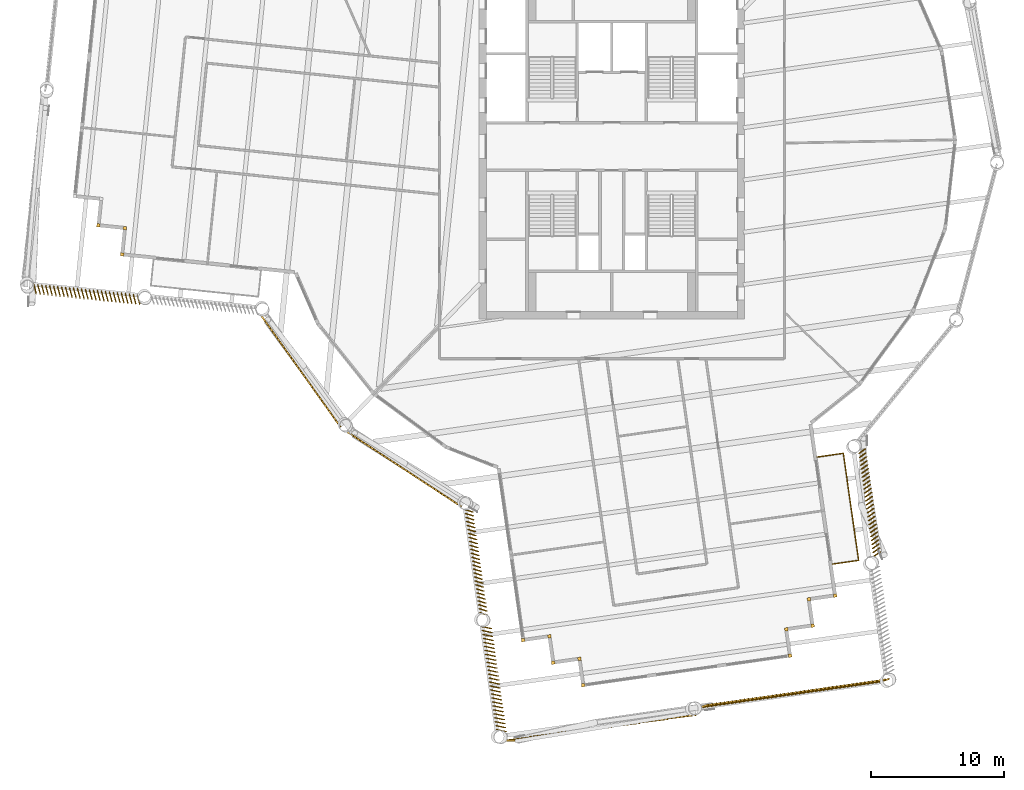
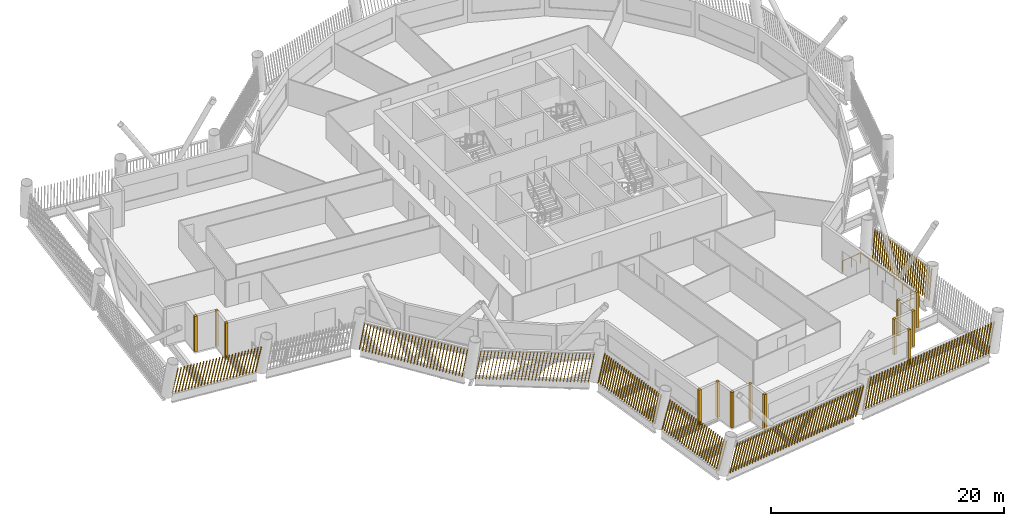
# One storey, part 18 of 22: 21 shading devices, 1 railing.
"""IFC4 building model written with IfcOpenShell, lengths in metres."""

from ifc_helpers import new_model, si_unit, direction, frame, frame_2d, origin, origin_2d, place, context, subcontext, project, spatial, rectangle, circle, composite_profile, extrude, material, type_object, element, save


model = new_model("IFC4")

# Units and contexts
model_context = context("Model", 3, precision=1e-05, world=origin(), true_north=direction((0.0, 1.0)))
body_context = subcontext(model_context, "Body", "Model", "MODEL_VIEW")
ifc_project = project(units=[si_unit("LENGTHUNIT", "METRE"), si_unit("AREAUNIT", "SQUARE_METRE"), si_unit("VOLUMEUNIT", "CUBIC_METRE"), si_unit("PLANEANGLEUNIT", "RADIAN"), si_unit("MASSUNIT", "GRAM", prefix="KILO")], contexts=[model_context])

# Site, building, storey
site_placement = place(None, origin())
site = spatial("IfcSite", under=ifc_project, at=site_placement, CompositionType="ELEMENT")
building_placement = place(site_placement, origin())
building = spatial("IfcBuilding", under=site, at=building_placement, Name="Tarsis Ring Headquarters", CompositionType="ELEMENT")
storey_placement = place(building_placement, frame((0.0, 0.0, 263.0)))
storey = spatial("IfcBuildingStorey", under=building, at=storey_placement, Name="L61", CompositionType="ELEMENT", Elevation=263.0)

# Railing
ifc_material_1 = material(Name="Stainless steel guard", Category="steel")
railing_type = type_object("IfcRailingType", Name="Balcony balustrade with mesh infill 1100", PredefinedType="BALUSTRADE", material=ifc_material_1)
railing_placement = place(storey_placement, frame((16.611572265625, -31.46923828125, 0.0)))
element("IfcRailing", 1, at=railing_placement, inside=storey, type_object=railing_type, Name="Balcony balustrade L61-16", PredefinedType="BALUSTRADE", context=body_context, shape_type="SweptSolid", body=[
    extrude(circle(Radius=0.030029296875, at=origin_2d()), frame((0.0, 0.0, 1.070068359375), z_axis=(0.989973895577, 0.141250437438, 0.0), x_axis=(-0.141250437438, 0.989973895577, 0.0)), (0.0, 0.0, 1.0), 1.999755859375),
    extrude(circle(Radius=0.030029296875, at=origin_2d()), frame((1.979736328125, 0.282470703125, 1.070068359375), z_axis=(-0.141220081004, 0.989978226387, 0.0), x_axis=(-0.989978226387, -0.141220081004, 0.0)), (0.0, 0.0, 1.0), 8.1513671875),
    extrude(circle(Radius=0.030029296875, at=origin_2d()), frame((0.82861328125, 8.35205078125, 1.070068359375), z_axis=(-0.989976330904, -0.141233368046, 0.0), x_axis=(0.141233368046, -0.989976330904, 0.0)), (0.0, 0.0, 1.0), 2.0),
    extrude(circle(Radius=0.02490234375, at=origin_2d()), origin(), (0.0, 0.0, 1.0), 1.0400390625),
    extrude(circle(Radius=0.02490234375, at=origin_2d()), frame((0.98974609375, 0.14111328125, 0.0)), (0.0, 0.0, 1.0), 1.0400390625),
    extrude(circle(Radius=0.02490234375, at=origin_2d()), frame((1.979736328125, 0.282470703125, 0.0)), (0.0, 0.0, 1.0), 1.0400390625),
    extrude(circle(Radius=0.02490234375, at=origin_2d()), frame((1.815185546875, 1.435302734375, 0.0)), (0.0, 0.0, 1.0), 1.0400390625),
    extrude(circle(Radius=0.02490234375, at=origin_2d()), frame((1.65087890625, 2.588134765625, 0.0)), (0.0, 0.0, 1.0), 1.0400390625),
    extrude(circle(Radius=0.02490234375, at=origin_2d()), frame((1.486328125, 3.740966796875, 0.0)), (0.0, 0.0, 1.0), 1.0400390625),
    extrude(circle(Radius=0.02490234375, at=origin_2d()), frame((1.322021484375, 4.8935546875, 0.0)), (0.0, 0.0, 1.0), 1.0400390625),
    extrude(circle(Radius=0.02490234375, at=origin_2d()), frame((1.157470703125, 6.04638671875, 0.0)), (0.0, 0.0, 1.0), 1.0400390625),
    extrude(circle(Radius=0.02490234375, at=origin_2d()), frame((0.9931640625, 7.19921875, 0.0)), (0.0, 0.0, 1.0), 1.0400390625),
    extrude(circle(Radius=0.02490234375, at=origin_2d()), frame((0.82861328125, 8.35205078125, 0.0)), (0.0, 0.0, 1.0), 1.0400390625),
    extrude(circle(Radius=0.02490234375, at=origin_2d()), frame((-0.161376953125, 8.2109375, 0.0)), (0.0, 0.0, 1.0), 1.0400390625),
    extrude(circle(Radius=0.02490234375, at=origin_2d()), frame((-1.1513671875, 8.069580078125, 0.0)), (0.0, 0.0, 1.0), 1.0400390625),
])

# Shading devices
ifc_material_2 = material(Name="Terracotta baguette", Category="masonry")
shading_device_type_1 = type_object("IfcShadingDeviceType", Name="Terracotta baguette screen", PredefinedType="USERDEFINED", material=ifc_material_2)
shading_device_1_placement = place(storey_placement, frame((-19.921875, -21.525634765625, 0.0), z_axis=(0.0, 0.0, 1.0), x_axis=(0.836801998751, -0.547482823235, 0.0)))
element("IfcShadingDevice", 2, at=shading_device_1_placement, inside=storey, type_object=shading_device_type_1, Name="Baguette screen L61-00", ObjectType="Terracotta baguette screen", PredefinedType="USERDEFINED", context=body_context, shape_type="SweptSolid", body=[
    extrude(composite_profile([rectangle(XDim=0.06005859375, YDim=0.1201171875, at=frame_2d((0.030029296875, 0.0))), rectangle(XDim=0.06005859375, YDim=0.1201171875, at=frame_2d((0.33349609375, 0.0))), rectangle(XDim=0.06005859375, YDim=0.1201171875, at=frame_2d((0.636962890625, 0.0))), rectangle(XDim=0.06005859375, YDim=0.1201171875, at=frame_2d((0.9404296875, 0.0))), rectangle(XDim=0.06005859375, YDim=0.1201171875, at=frame_2d((1.243896484375, 0.0))), rectangle(XDim=0.06005859375, YDim=0.1201171875, at=frame_2d((1.54736328125, 0.0))), rectangle(XDim=0.06005859375, YDim=0.1201171875, at=frame_2d((1.85107421875, 0.0))), rectangle(XDim=0.06005859375, YDim=0.1201171875, at=frame_2d((2.154541015625, 0.0))), rectangle(XDim=0.06005859375, YDim=0.1201171875, at=frame_2d((2.4580078125, 0.0))), rectangle(XDim=0.06005859375, YDim=0.1201171875, at=frame_2d((2.761474609375, 0.0))), rectangle(XDim=0.06005859375, YDim=0.1201171875, at=frame_2d((3.06494140625, 0.0))), rectangle(XDim=0.06005859375, YDim=0.1201171875, at=frame_2d((3.368408203125, 0.0))), rectangle(XDim=0.06005859375, YDim=0.1201171875, at=frame_2d((3.671875, 0.0))), rectangle(XDim=0.06005859375, YDim=0.1201171875, at=frame_2d((3.975341796875, 0.0))), rectangle(XDim=0.06005859375, YDim=0.1201171875, at=frame_2d((4.27880859375, 0.0))), rectangle(XDim=0.06005859375, YDim=0.1201171875, at=frame_2d((4.582275390625, 0.0))), rectangle(XDim=0.06005859375, YDim=0.1201171875, at=frame_2d((4.8857421875, 0.0))), rectangle(XDim=0.06005859375, YDim=0.1201171875, at=frame_2d((5.189453125, 0.0))), rectangle(XDim=0.06005859375, YDim=0.1201171875, at=frame_2d((5.492919921875, 0.0))), rectangle(XDim=0.06005859375, YDim=0.1201171875, at=frame_2d((5.79638671875, 0.0))), rectangle(XDim=0.06005859375, YDim=0.1201171875, at=frame_2d((6.099853515625, 0.0))), rectangle(XDim=0.06005859375, YDim=0.1201171875, at=frame_2d((6.4033203125, 0.0))), rectangle(XDim=0.06005859375, YDim=0.1201171875, at=frame_2d((6.706787109375, 0.0))), rectangle(XDim=0.06005859375, YDim=0.1201171875, at=frame_2d((7.01025390625, 0.0))), rectangle(XDim=0.06005859375, YDim=0.1201171875, at=frame_2d((7.313720703125, 0.0))), rectangle(XDim=0.06005859375, YDim=0.1201171875, at=frame_2d((7.6171875, 0.0))), rectangle(XDim=0.06005859375, YDim=0.1201171875, at=frame_2d((7.920654296875, 0.0))), rectangle(XDim=0.06005859375, YDim=0.1201171875, at=frame_2d((8.224365234375, 0.0))), rectangle(XDim=0.06005859375, YDim=0.1201171875, at=frame_2d((8.52783203125, 0.0))), rectangle(XDim=0.06005859375, YDim=0.1201171875, at=frame_2d((8.831298828125, 0.0))), rectangle(XDim=0.06005859375, YDim=0.1201171875, at=frame_2d((9.134765625, 0.0))), rectangle(XDim=0.06005859375, YDim=0.1201171875, at=frame_2d((9.438232421875, 0.0))), rectangle(XDim=0.06005859375, YDim=0.1201171875, at=frame_2d((9.74169921875, 0.0)))]), origin(), (0.167657668035, 0.001462980796, 0.985844189533), 3.010498046875),
])
shading_device_2_placement = place(storey_placement, frame((-11.050537109375, -27.330322265625, 0.0), z_axis=(0.0, 0.0, 1.0), x_axis=(0.141250617894, -0.989959218982, 0.0)))
element("IfcShadingDevice", 3, at=shading_device_2_placement, inside=storey, type_object=shading_device_type_1, Name="Baguette screen L61-01", ObjectType="Terracotta baguette screen", PredefinedType="USERDEFINED", context=body_context, shape_type="SweptSolid", body=[
    extrude(composite_profile([rectangle(XDim=0.06005859375, YDim=0.1201171875, at=frame_2d((0.030029296875, 0.0))), rectangle(XDim=0.06005859375, YDim=0.1201171875, at=frame_2d((0.33154296875, 0.0))), rectangle(XDim=0.06005859375, YDim=0.1201171875, at=frame_2d((0.63330078125, 0.0))), rectangle(XDim=0.06005859375, YDim=0.1201171875, at=frame_2d((0.934814453125, 0.0))), rectangle(XDim=0.06005859375, YDim=0.1201171875, at=frame_2d((1.236572265625, 0.0))), rectangle(XDim=0.06005859375, YDim=0.1201171875, at=frame_2d((1.5380859375, 0.0))), rectangle(XDim=0.06005859375, YDim=0.1201171875, at=frame_2d((1.83984375, 0.0))), rectangle(XDim=0.06005859375, YDim=0.1201171875, at=frame_2d((2.141357421875, 0.0))), rectangle(XDim=0.06005859375, YDim=0.1201171875, at=frame_2d((2.443115234375, 0.0))), rectangle(XDim=0.06005859375, YDim=0.1201171875, at=frame_2d((2.74462890625, 0.0))), rectangle(XDim=0.06005859375, YDim=0.1201171875, at=frame_2d((3.04638671875, 0.0))), rectangle(XDim=0.06005859375, YDim=0.1201171875, at=frame_2d((3.347900390625, 0.0))), rectangle(XDim=0.06005859375, YDim=0.1201171875, at=frame_2d((3.649658203125, 0.0))), rectangle(XDim=0.06005859375, YDim=0.1201171875, at=frame_2d((3.951171875, 0.0))), rectangle(XDim=0.06005859375, YDim=0.1201171875, at=frame_2d((4.252685546875, 0.0))), rectangle(XDim=0.06005859375, YDim=0.1201171875, at=frame_2d((4.554443359375, 0.0))), rectangle(XDim=0.06005859375, YDim=0.1201171875, at=frame_2d((4.85595703125, 0.0))), rectangle(XDim=0.06005859375, YDim=0.1201171875, at=frame_2d((5.15771484375, 0.0))), rectangle(XDim=0.06005859375, YDim=0.1201171875, at=frame_2d((5.459228515625, 0.0))), rectangle(XDim=0.06005859375, YDim=0.1201171875, at=frame_2d((5.760986328125, 0.0))), rectangle(XDim=0.06005859375, YDim=0.1201171875, at=frame_2d((6.0625, 0.0))), rectangle(XDim=0.06005859375, YDim=0.1201171875, at=frame_2d((6.3642578125, 0.0))), rectangle(XDim=0.06005859375, YDim=0.1201171875, at=frame_2d((6.665771484375, 0.0))), rectangle(XDim=0.06005859375, YDim=0.1201171875, at=frame_2d((6.967529296875, 0.0))), rectangle(XDim=0.06005859375, YDim=0.1201171875, at=frame_2d((7.26904296875, 0.0))), rectangle(XDim=0.06005859375, YDim=0.1201171875, at=frame_2d((7.57080078125, 0.0))), rectangle(XDim=0.06005859375, YDim=0.1201171875, at=frame_2d((7.872314453125, 0.0)))]), origin(), (0.083960114804, 0.170744626434, 0.98173161896), 3.02294921875),
])
shading_device_3_placement = place(storey_placement, frame((-9.79296875, -36.143310546875, 0.0), z_axis=(0.0, 0.0, 1.0), x_axis=(0.141224086261, -0.98998980443, 0.0)))
element("IfcShadingDevice", 4, at=shading_device_3_placement, inside=storey, type_object=shading_device_type_1, Name="Baguette screen L61-02", ObjectType="Terracotta baguette screen", PredefinedType="USERDEFINED", context=body_context, shape_type="SweptSolid", body=[
    extrude(composite_profile([rectangle(XDim=0.06005859375, YDim=0.1201171875, at=frame_2d((0.030029296875, 0.0))), rectangle(XDim=0.06005859375, YDim=0.1201171875, at=frame_2d((0.33154296875, 0.0))), rectangle(XDim=0.06005859375, YDim=0.1201171875, at=frame_2d((0.63330078125, 0.0))), rectangle(XDim=0.06005859375, YDim=0.1201171875, at=frame_2d((0.934814453125, 0.0))), rectangle(XDim=0.06005859375, YDim=0.1201171875, at=frame_2d((1.236572265625, 0.0))), rectangle(XDim=0.06005859375, YDim=0.1201171875, at=frame_2d((1.5380859375, 0.0))), rectangle(XDim=0.06005859375, YDim=0.1201171875, at=frame_2d((1.83984375, 0.0))), rectangle(XDim=0.06005859375, YDim=0.1201171875, at=frame_2d((2.141357421875, 0.0))), rectangle(XDim=0.06005859375, YDim=0.1201171875, at=frame_2d((2.443115234375, 0.0))), rectangle(XDim=0.06005859375, YDim=0.1201171875, at=frame_2d((2.74462890625, 0.0))), rectangle(XDim=0.06005859375, YDim=0.1201171875, at=frame_2d((3.04638671875, 0.0))), rectangle(XDim=0.06005859375, YDim=0.1201171875, at=frame_2d((3.347900390625, 0.0))), rectangle(XDim=0.06005859375, YDim=0.1201171875, at=frame_2d((3.649658203125, 0.0))), rectangle(XDim=0.06005859375, YDim=0.1201171875, at=frame_2d((3.951171875, 0.0))), rectangle(XDim=0.06005859375, YDim=0.1201171875, at=frame_2d((4.252685546875, 0.0))), rectangle(XDim=0.06005859375, YDim=0.1201171875, at=frame_2d((4.554443359375, 0.0))), rectangle(XDim=0.06005859375, YDim=0.1201171875, at=frame_2d((4.85595703125, 0.0))), rectangle(XDim=0.06005859375, YDim=0.1201171875, at=frame_2d((5.15771484375, 0.0))), rectangle(XDim=0.06005859375, YDim=0.1201171875, at=frame_2d((5.459228515625, 0.0))), rectangle(XDim=0.06005859375, YDim=0.1201171875, at=frame_2d((5.760986328125, 0.0))), rectangle(XDim=0.06005859375, YDim=0.1201171875, at=frame_2d((6.0625, 0.0))), rectangle(XDim=0.06005859375, YDim=0.1201171875, at=frame_2d((6.3642578125, 0.0))), rectangle(XDim=0.06005859375, YDim=0.1201171875, at=frame_2d((6.665771484375, 0.0))), rectangle(XDim=0.06005859375, YDim=0.1201171875, at=frame_2d((6.967529296875, 0.0))), rectangle(XDim=0.06005859375, YDim=0.1201171875, at=frame_2d((7.26904296875, 0.0))), rectangle(XDim=0.06005859375, YDim=0.1201171875, at=frame_2d((7.57080078125, 0.0))), rectangle(XDim=0.06005859375, YDim=0.1201171875, at=frame_2d((7.872314453125, 0.0)))]), origin(), (0.082679440305, 0.219945168077, 0.972002177565), 3.05322265625),
])
shading_device_4_placement = place(storey_placement, frame((-8.058349609375, -44.761962890625, 0.0), z_axis=(0.0, 0.0, 1.0), x_axis=(0.989969040248, 0.141247235736, 0.0)))
element("IfcShadingDevice", 5, at=shading_device_4_placement, inside=storey, type_object=shading_device_type_1, Name="Baguette screen L61-03", ObjectType="Terracotta baguette screen", PredefinedType="USERDEFINED", context=body_context, shape_type="SweptSolid", body=[
    extrude(composite_profile([rectangle(XDim=0.06005859375, YDim=0.1201171875, at=frame_2d((0.030029296875, 0.0))), rectangle(XDim=0.06005859375, YDim=0.1201171875, at=frame_2d((0.33544921875, 0.0))), rectangle(XDim=0.06005859375, YDim=0.1201171875, at=frame_2d((0.640625, 0.0))), rectangle(XDim=0.06005859375, YDim=0.1201171875, at=frame_2d((0.946044921875, 0.0))), rectangle(XDim=0.06005859375, YDim=0.1201171875, at=frame_2d((1.25146484375, 0.0))), rectangle(XDim=0.06005859375, YDim=0.1201171875, at=frame_2d((1.556640625, 0.0))), rectangle(XDim=0.06005859375, YDim=0.1201171875, at=frame_2d((1.862060546875, 0.0))), rectangle(XDim=0.06005859375, YDim=0.1201171875, at=frame_2d((2.16748046875, 0.0))), rectangle(XDim=0.06005859375, YDim=0.1201171875, at=frame_2d((2.47265625, 0.0))), rectangle(XDim=0.06005859375, YDim=0.1201171875, at=frame_2d((2.778076171875, 0.0))), rectangle(XDim=0.06005859375, YDim=0.1201171875, at=frame_2d((3.08349609375, 0.0))), rectangle(XDim=0.06005859375, YDim=0.1201171875, at=frame_2d((3.388671875, 0.0))), rectangle(XDim=0.06005859375, YDim=0.1201171875, at=frame_2d((3.694091796875, 0.0))), rectangle(XDim=0.06005859375, YDim=0.1201171875, at=frame_2d((3.99951171875, 0.0))), rectangle(XDim=0.06005859375, YDim=0.1201171875, at=frame_2d((4.3046875, 0.0))), rectangle(XDim=0.06005859375, YDim=0.1201171875, at=frame_2d((4.610107421875, 0.0))), rectangle(XDim=0.06005859375, YDim=0.1201171875, at=frame_2d((4.91552734375, 0.0))), rectangle(XDim=0.06005859375, YDim=0.1201171875, at=frame_2d((5.220703125, 0.0))), rectangle(XDim=0.06005859375, YDim=0.1201171875, at=frame_2d((5.526123046875, 0.0))), rectangle(XDim=0.06005859375, YDim=0.1201171875, at=frame_2d((5.83154296875, 0.0))), rectangle(XDim=0.06005859375, YDim=0.1201171875, at=frame_2d((6.13671875, 0.0))), rectangle(XDim=0.06005859375, YDim=0.1201171875, at=frame_2d((6.442138671875, 0.0))), rectangle(XDim=0.06005859375, YDim=0.1201171875, at=frame_2d((6.74755859375, 0.0))), rectangle(XDim=0.06005859375, YDim=0.1201171875, at=frame_2d((7.052734375, 0.0))), rectangle(XDim=0.06005859375, YDim=0.1201171875, at=frame_2d((7.358154296875, 0.0))), rectangle(XDim=0.06005859375, YDim=0.1201171875, at=frame_2d((7.66357421875, 0.0))), rectangle(XDim=0.06005859375, YDim=0.1201171875, at=frame_2d((7.96875, 0.0))), rectangle(XDim=0.06005859375, YDim=0.1201171875, at=frame_2d((8.274169921875, 0.0))), rectangle(XDim=0.06005859375, YDim=0.1201171875, at=frame_2d((8.57958984375, 0.0))), rectangle(XDim=0.06005859375, YDim=0.1201171875, at=frame_2d((8.884765625, 0.0))), rectangle(XDim=0.06005859375, YDim=0.1201171875, at=frame_2d((9.190185546875, 0.0))), rectangle(XDim=0.06005859375, YDim=0.1201171875, at=frame_2d((9.49560546875, 0.0))), rectangle(XDim=0.06005859375, YDim=0.1201171875, at=frame_2d((9.80078125, 0.0))), rectangle(XDim=0.06005859375, YDim=0.1201171875, at=frame_2d((10.106201171875, 0.0))), rectangle(XDim=0.06005859375, YDim=0.1201171875, at=frame_2d((10.41162109375, 0.0))), rectangle(XDim=0.06005859375, YDim=0.1201171875, at=frame_2d((10.716796875, 0.0))), rectangle(XDim=0.06005859375, YDim=0.1201171875, at=frame_2d((11.022216796875, 0.0))), rectangle(XDim=0.06005859375, YDim=0.1201171875, at=frame_2d((11.32763671875, 0.0))), rectangle(XDim=0.06005859375, YDim=0.1201171875, at=frame_2d((11.6328125, 0.0))), rectangle(XDim=0.06005859375, YDim=0.1201171875, at=frame_2d((11.938232421875, 0.0))), rectangle(XDim=0.06005859375, YDim=0.1201171875, at=frame_2d((12.24365234375, 0.0))), rectangle(XDim=0.06005859375, YDim=0.1201171875, at=frame_2d((12.548828125, 0.0))), rectangle(XDim=0.06005859375, YDim=0.1201171875, at=frame_2d((12.854248046875, 0.0))), rectangle(XDim=0.06005859375, YDim=0.1201171875, at=frame_2d((13.15966796875, 0.0))), rectangle(XDim=0.06005859375, YDim=0.1201171875, at=frame_2d((13.46484375, 0.0))), rectangle(XDim=0.06005859375, YDim=0.1201171875, at=frame_2d((13.770263671875, 0.0)))]), origin(), (0.246235962579, -0.039995191836, 0.968384342791), 3.064697265625),
])
shading_device_5_placement = place(storey_placement, frame((6.540283203125, -42.30029296875, 0.0), z_axis=(0.0, 0.0, 1.0), x_axis=(0.989969040248, 0.141247235736, 0.0)))
element("IfcShadingDevice", 6, at=shading_device_5_placement, inside=storey, type_object=shading_device_type_1, Name="Baguette screen L61-04", ObjectType="Terracotta baguette screen", PredefinedType="USERDEFINED", context=body_context, shape_type="SweptSolid", body=[
    extrude(composite_profile([rectangle(XDim=0.06005859375, YDim=0.1201171875, at=frame_2d((0.030029296875, 0.0))), rectangle(XDim=0.06005859375, YDim=0.1201171875, at=frame_2d((0.33544921875, 0.0))), rectangle(XDim=0.06005859375, YDim=0.1201171875, at=frame_2d((0.640625, 0.0))), rectangle(XDim=0.06005859375, YDim=0.1201171875, at=frame_2d((0.946044921875, 0.0))), rectangle(XDim=0.06005859375, YDim=0.1201171875, at=frame_2d((1.25146484375, 0.0))), rectangle(XDim=0.06005859375, YDim=0.1201171875, at=frame_2d((1.556640625, 0.0))), rectangle(XDim=0.06005859375, YDim=0.1201171875, at=frame_2d((1.862060546875, 0.0))), rectangle(XDim=0.06005859375, YDim=0.1201171875, at=frame_2d((2.16748046875, 0.0))), rectangle(XDim=0.06005859375, YDim=0.1201171875, at=frame_2d((2.47265625, 0.0))), rectangle(XDim=0.06005859375, YDim=0.1201171875, at=frame_2d((2.778076171875, 0.0))), rectangle(XDim=0.06005859375, YDim=0.1201171875, at=frame_2d((3.08349609375, 0.0))), rectangle(XDim=0.06005859375, YDim=0.1201171875, at=frame_2d((3.388671875, 0.0))), rectangle(XDim=0.06005859375, YDim=0.1201171875, at=frame_2d((3.694091796875, 0.0))), rectangle(XDim=0.06005859375, YDim=0.1201171875, at=frame_2d((3.99951171875, 0.0))), rectangle(XDim=0.06005859375, YDim=0.1201171875, at=frame_2d((4.3046875, 0.0))), rectangle(XDim=0.06005859375, YDim=0.1201171875, at=frame_2d((4.610107421875, 0.0))), rectangle(XDim=0.06005859375, YDim=0.1201171875, at=frame_2d((4.91552734375, 0.0))), rectangle(XDim=0.06005859375, YDim=0.1201171875, at=frame_2d((5.220703125, 0.0))), rectangle(XDim=0.06005859375, YDim=0.1201171875, at=frame_2d((5.526123046875, 0.0))), rectangle(XDim=0.06005859375, YDim=0.1201171875, at=frame_2d((5.83154296875, 0.0))), rectangle(XDim=0.06005859375, YDim=0.1201171875, at=frame_2d((6.13671875, 0.0))), rectangle(XDim=0.06005859375, YDim=0.1201171875, at=frame_2d((6.442138671875, 0.0))), rectangle(XDim=0.06005859375, YDim=0.1201171875, at=frame_2d((6.74755859375, 0.0))), rectangle(XDim=0.06005859375, YDim=0.1201171875, at=frame_2d((7.052734375, 0.0))), rectangle(XDim=0.06005859375, YDim=0.1201171875, at=frame_2d((7.358154296875, 0.0))), rectangle(XDim=0.06005859375, YDim=0.1201171875, at=frame_2d((7.66357421875, 0.0))), rectangle(XDim=0.06005859375, YDim=0.1201171875, at=frame_2d((7.96875, 0.0))), rectangle(XDim=0.06005859375, YDim=0.1201171875, at=frame_2d((8.274169921875, 0.0))), rectangle(XDim=0.06005859375, YDim=0.1201171875, at=frame_2d((8.57958984375, 0.0))), rectangle(XDim=0.06005859375, YDim=0.1201171875, at=frame_2d((8.884765625, 0.0))), rectangle(XDim=0.06005859375, YDim=0.1201171875, at=frame_2d((9.190185546875, 0.0))), rectangle(XDim=0.06005859375, YDim=0.1201171875, at=frame_2d((9.49560546875, 0.0))), rectangle(XDim=0.06005859375, YDim=0.1201171875, at=frame_2d((9.80078125, 0.0))), rectangle(XDim=0.06005859375, YDim=0.1201171875, at=frame_2d((10.106201171875, 0.0))), rectangle(XDim=0.06005859375, YDim=0.1201171875, at=frame_2d((10.41162109375, 0.0))), rectangle(XDim=0.06005859375, YDim=0.1201171875, at=frame_2d((10.716796875, 0.0))), rectangle(XDim=0.06005859375, YDim=0.1201171875, at=frame_2d((11.022216796875, 0.0))), rectangle(XDim=0.06005859375, YDim=0.1201171875, at=frame_2d((11.32763671875, 0.0))), rectangle(XDim=0.06005859375, YDim=0.1201171875, at=frame_2d((11.6328125, 0.0))), rectangle(XDim=0.06005859375, YDim=0.1201171875, at=frame_2d((11.938232421875, 0.0))), rectangle(XDim=0.06005859375, YDim=0.1201171875, at=frame_2d((12.24365234375, 0.0))), rectangle(XDim=0.06005859375, YDim=0.1201171875, at=frame_2d((12.548828125, 0.0))), rectangle(XDim=0.06005859375, YDim=0.1201171875, at=frame_2d((12.854248046875, 0.0))), rectangle(XDim=0.06005859375, YDim=0.1201171875, at=frame_2d((13.15966796875, 0.0))), rectangle(XDim=0.06005859375, YDim=0.1201171875, at=frame_2d((13.46484375, 0.0))), rectangle(XDim=0.06005859375, YDim=0.1201171875, at=frame_2d((13.770263671875, 0.0)))]), origin(), (0.243492318252, 0.044290516461, 0.968891036755), 3.06298828125),
])
shading_device_6_placement = place(storey_placement, frame((19.740234375, -30.91943359375, 0.0), z_axis=(0.0, 0.0, 1.0), x_axis=(-0.141250617894, 0.989959218982, 0.0)))
element("IfcShadingDevice", 7, at=shading_device_6_placement, inside=storey, type_object=shading_device_type_1, Name="Baguette screen L61-06", ObjectType="Terracotta baguette screen", PredefinedType="USERDEFINED", context=body_context, shape_type="SweptSolid", body=[
    extrude(composite_profile([rectangle(XDim=0.06005859375, YDim=0.1201171875, at=frame_2d((0.030029296875, 0.0))), rectangle(XDim=0.06005859375, YDim=0.1201171875, at=frame_2d((0.33154296875, 0.0))), rectangle(XDim=0.06005859375, YDim=0.1201171875, at=frame_2d((0.63330078125, 0.0))), rectangle(XDim=0.06005859375, YDim=0.1201171875, at=frame_2d((0.934814453125, 0.0))), rectangle(XDim=0.06005859375, YDim=0.1201171875, at=frame_2d((1.236572265625, 0.0))), rectangle(XDim=0.06005859375, YDim=0.1201171875, at=frame_2d((1.5380859375, 0.0))), rectangle(XDim=0.06005859375, YDim=0.1201171875, at=frame_2d((1.83984375, 0.0))), rectangle(XDim=0.06005859375, YDim=0.1201171875, at=frame_2d((2.141357421875, 0.0))), rectangle(XDim=0.06005859375, YDim=0.1201171875, at=frame_2d((2.443115234375, 0.0))), rectangle(XDim=0.06005859375, YDim=0.1201171875, at=frame_2d((2.74462890625, 0.0))), rectangle(XDim=0.06005859375, YDim=0.1201171875, at=frame_2d((3.04638671875, 0.0))), rectangle(XDim=0.06005859375, YDim=0.1201171875, at=frame_2d((3.347900390625, 0.0))), rectangle(XDim=0.06005859375, YDim=0.1201171875, at=frame_2d((3.649658203125, 0.0))), rectangle(XDim=0.06005859375, YDim=0.1201171875, at=frame_2d((3.951171875, 0.0))), rectangle(XDim=0.06005859375, YDim=0.1201171875, at=frame_2d((4.252685546875, 0.0))), rectangle(XDim=0.06005859375, YDim=0.1201171875, at=frame_2d((4.554443359375, 0.0))), rectangle(XDim=0.06005859375, YDim=0.1201171875, at=frame_2d((4.85595703125, 0.0))), rectangle(XDim=0.06005859375, YDim=0.1201171875, at=frame_2d((5.15771484375, 0.0))), rectangle(XDim=0.06005859375, YDim=0.1201171875, at=frame_2d((5.459228515625, 0.0))), rectangle(XDim=0.06005859375, YDim=0.1201171875, at=frame_2d((5.760986328125, 0.0))), rectangle(XDim=0.06005859375, YDim=0.1201171875, at=frame_2d((6.0625, 0.0))), rectangle(XDim=0.06005859375, YDim=0.1201171875, at=frame_2d((6.3642578125, 0.0))), rectangle(XDim=0.06005859375, YDim=0.1201171875, at=frame_2d((6.665771484375, 0.0))), rectangle(XDim=0.06005859375, YDim=0.1201171875, at=frame_2d((6.967529296875, 0.0))), rectangle(XDim=0.06005859375, YDim=0.1201171875, at=frame_2d((7.26904296875, 0.0))), rectangle(XDim=0.06005859375, YDim=0.1201171875, at=frame_2d((7.57080078125, 0.0))), rectangle(XDim=0.06005859375, YDim=0.1201171875, at=frame_2d((7.872314453125, 0.0)))]), origin(), (0.089072961206, -0.169203446818, 0.981547859845), 3.023681640625),
])
shading_device_7_placement = place(storey_placement, frame((-43.59375, -10.388671875, 0.0), z_axis=(0.0, 0.0, 1.0), x_axis=(0.99474789916, -0.102446861097, 0.0)))
element("IfcShadingDevice", 8, at=shading_device_7_placement, inside=storey, type_object=shading_device_type_1, Name="Baguette screen L61-19", ObjectType="Terracotta baguette screen", PredefinedType="USERDEFINED", context=body_context, shape_type="SweptSolid", body=[
    extrude(composite_profile([rectangle(XDim=0.06005859375, YDim=0.1201171875, at=frame_2d((0.030029296875, 0.0))), rectangle(XDim=0.06005859375, YDim=0.1201171875, at=frame_2d((0.33154296875, 0.0))), rectangle(XDim=0.06005859375, YDim=0.1201171875, at=frame_2d((0.63330078125, 0.0))), rectangle(XDim=0.06005859375, YDim=0.1201171875, at=frame_2d((0.934814453125, 0.0))), rectangle(XDim=0.06005859375, YDim=0.1201171875, at=frame_2d((1.236572265625, 0.0))), rectangle(XDim=0.06005859375, YDim=0.1201171875, at=frame_2d((1.5380859375, 0.0))), rectangle(XDim=0.06005859375, YDim=0.1201171875, at=frame_2d((1.83984375, 0.0))), rectangle(XDim=0.06005859375, YDim=0.1201171875, at=frame_2d((2.141357421875, 0.0))), rectangle(XDim=0.06005859375, YDim=0.1201171875, at=frame_2d((2.443115234375, 0.0))), rectangle(XDim=0.06005859375, YDim=0.1201171875, at=frame_2d((2.74462890625, 0.0))), rectangle(XDim=0.06005859375, YDim=0.1201171875, at=frame_2d((3.04638671875, 0.0))), rectangle(XDim=0.06005859375, YDim=0.1201171875, at=frame_2d((3.347900390625, 0.0))), rectangle(XDim=0.06005859375, YDim=0.1201171875, at=frame_2d((3.649658203125, 0.0))), rectangle(XDim=0.06005859375, YDim=0.1201171875, at=frame_2d((3.951171875, 0.0))), rectangle(XDim=0.06005859375, YDim=0.1201171875, at=frame_2d((4.252685546875, 0.0))), rectangle(XDim=0.06005859375, YDim=0.1201171875, at=frame_2d((4.554443359375, 0.0))), rectangle(XDim=0.06005859375, YDim=0.1201171875, at=frame_2d((4.85595703125, 0.0))), rectangle(XDim=0.06005859375, YDim=0.1201171875, at=frame_2d((5.15771484375, 0.0))), rectangle(XDim=0.06005859375, YDim=0.1201171875, at=frame_2d((5.459228515625, 0.0))), rectangle(XDim=0.06005859375, YDim=0.1201171875, at=frame_2d((5.760986328125, 0.0))), rectangle(XDim=0.06005859375, YDim=0.1201171875, at=frame_2d((6.0625, 0.0))), rectangle(XDim=0.06005859375, YDim=0.1201171875, at=frame_2d((6.3642578125, 0.0))), rectangle(XDim=0.06005859375, YDim=0.1201171875, at=frame_2d((6.665771484375, 0.0))), rectangle(XDim=0.06005859375, YDim=0.1201171875, at=frame_2d((6.967529296875, 0.0))), rectangle(XDim=0.06005859375, YDim=0.1201171875, at=frame_2d((7.26904296875, 0.0))), rectangle(XDim=0.06005859375, YDim=0.1201171875, at=frame_2d((7.57080078125, 0.0))), rectangle(XDim=0.06005859375, YDim=0.1201171875, at=frame_2d((7.872314453125, 0.0)))]), origin(), (0.086510673492, -0.21846601591, 0.972002316491), 3.05322265625),
])
shading_device_8_placement = place(storey_placement, frame((-26.395751953125, -12.786376953125, 0.0), z_axis=(0.0, 0.0, 1.0), x_axis=(0.57977713372, -0.814786128323, 0.0)))
element("IfcShadingDevice", 9, at=shading_device_8_placement, inside=storey, type_object=shading_device_type_1, Name="Baguette screen L61-21", ObjectType="Terracotta baguette screen", PredefinedType="USERDEFINED", context=body_context, shape_type="SweptSolid", body=[
    extrude(composite_profile([rectangle(XDim=0.06005859375, YDim=0.1201171875, at=frame_2d((0.030029296875, 0.0))), rectangle(XDim=0.06005859375, YDim=0.1201171875, at=frame_2d((0.33349609375, 0.0))), rectangle(XDim=0.06005859375, YDim=0.1201171875, at=frame_2d((0.636962890625, 0.0))), rectangle(XDim=0.06005859375, YDim=0.1201171875, at=frame_2d((0.9404296875, 0.0))), rectangle(XDim=0.06005859375, YDim=0.1201171875, at=frame_2d((1.243896484375, 0.0))), rectangle(XDim=0.06005859375, YDim=0.1201171875, at=frame_2d((1.54736328125, 0.0))), rectangle(XDim=0.06005859375, YDim=0.1201171875, at=frame_2d((1.850830078125, 0.0))), rectangle(XDim=0.06005859375, YDim=0.1201171875, at=frame_2d((2.154296875, 0.0))), rectangle(XDim=0.06005859375, YDim=0.1201171875, at=frame_2d((2.4580078125, 0.0))), rectangle(XDim=0.06005859375, YDim=0.1201171875, at=frame_2d((2.761474609375, 0.0))), rectangle(XDim=0.06005859375, YDim=0.1201171875, at=frame_2d((3.06494140625, 0.0))), rectangle(XDim=0.06005859375, YDim=0.1201171875, at=frame_2d((3.368408203125, 0.0))), rectangle(XDim=0.06005859375, YDim=0.1201171875, at=frame_2d((3.671875, 0.0))), rectangle(XDim=0.06005859375, YDim=0.1201171875, at=frame_2d((3.975341796875, 0.0))), rectangle(XDim=0.06005859375, YDim=0.1201171875, at=frame_2d((4.27880859375, 0.0))), rectangle(XDim=0.06005859375, YDim=0.1201171875, at=frame_2d((4.582275390625, 0.0))), rectangle(XDim=0.06005859375, YDim=0.1201171875, at=frame_2d((4.8857421875, 0.0))), rectangle(XDim=0.06005859375, YDim=0.1201171875, at=frame_2d((5.189208984375, 0.0))), rectangle(XDim=0.06005859375, YDim=0.1201171875, at=frame_2d((5.49267578125, 0.0))), rectangle(XDim=0.06005859375, YDim=0.1201171875, at=frame_2d((5.796142578125, 0.0))), rectangle(XDim=0.06005859375, YDim=0.1201171875, at=frame_2d((6.099609375, 0.0))), rectangle(XDim=0.06005859375, YDim=0.1201171875, at=frame_2d((6.403076171875, 0.0))), rectangle(XDim=0.06005859375, YDim=0.1201171875, at=frame_2d((6.70654296875, 0.0))), rectangle(XDim=0.06005859375, YDim=0.1201171875, at=frame_2d((7.010009765625, 0.0))), rectangle(XDim=0.06005859375, YDim=0.1201171875, at=frame_2d((7.3134765625, 0.0))), rectangle(XDim=0.06005859375, YDim=0.1201171875, at=frame_2d((7.6171875, 0.0))), rectangle(XDim=0.06005859375, YDim=0.1201171875, at=frame_2d((7.920654296875, 0.0))), rectangle(XDim=0.06005859375, YDim=0.1201171875, at=frame_2d((8.22412109375, 0.0))), rectangle(XDim=0.06005859375, YDim=0.1201171875, at=frame_2d((8.527587890625, 0.0))), rectangle(XDim=0.06005859375, YDim=0.1201171875, at=frame_2d((8.8310546875, 0.0))), rectangle(XDim=0.06005859375, YDim=0.1201171875, at=frame_2d((9.134521484375, 0.0))), rectangle(XDim=0.06005859375, YDim=0.1201171875, at=frame_2d((9.43798828125, 0.0))), rectangle(XDim=0.06005859375, YDim=0.1201171875, at=frame_2d((9.741455078125, 0.0)))]), origin(), (0.167661173881, 0.001464446256, 0.985843591129), 3.010498046875),
])
shading_device_type_2 = type_object("IfcShadingDeviceType", Name="Terracotta corner baguette 250x250", PredefinedType="USERDEFINED", material=ifc_material_2)
for number, where, z_axis, x_axis, name in (
    (10, (-36.90283203125, -8.13720703125, 0.0), (0.0, 0.0, 1.0), (-0.102445018602, -0.994738668276, 0.0), "Corner baguette L61-01"),
    (11, (-6.688720703125, -37.192626953125, 0.0), (0.0, 0.0, 1.0), (0.141246789518, -0.989974416059, 0.0), "Corner baguette L61-07"),
    (12, (-4.708740234375, -36.91015625, 0.0), (0.0, 0.0, 1.0), (0.989974448107, 0.1412465649, 0.0), "Corner baguette L61-08"),
    (13, (-4.42626953125, -38.89013671875, 0.0), (0.0, 0.0, 1.0), (0.141246979579, -0.989974388941, 0.0), "Corner baguette L61-09"),
    (14, (-2.4462890625, -38.607666015625, 0.0), (0.0, 0.0, 1.0), (0.989974398802, 0.141246910466, 0.0), "Corner baguette L61-10"),
    (15, (-2.163818359375, -40.587646484375, 0.0), (0.0, 0.0, 1.0), (0.141246495787, -0.989974457967, 0.0), "Corner baguette L61-11"),
    (16, (13.42822265625, -38.36279296875, 0.0), (0.0, 0.0, 1.0), (0.989974413594, 0.141246806796, 0.0), "Corner baguette L61-12"),
    (17, (13.145751953125, -36.383056640625, 0.0), (0.0, 0.0, 1.0), (-0.141246979579, 0.989974388941, 0.0), "Corner baguette L61-13"),
    (18, (15.125732421875, -36.1005859375, 0.0), (0.0, 0.0, 1.0), (0.989974448107, 0.1412465649, 0.0), "Corner baguette L61-14"),
    (19, (14.84326171875, -34.12060546875, 0.0), (0.0, 0.0, 1.0), (-0.141246495787, 0.989974457967, 0.0), "Corner baguette L61-15"),
    (20, (16.8232421875, -33.838134765625, 0.0), (0.0, 0.0, 1.0), (0.989974388941, 0.141246979579, 0.0), "Corner baguette L61-16"),
    (21, (-38.687255859375, -5.94287109375, 0.0), (0.0, 0.0, 1.0), (-0.102445452639, -0.994738623576, 0.0), "Corner baguette L61-39"),
    (22, (-36.697998046875, -6.147705078125, 0.0), (0.0, 0.0, 1.0), (0.994738623576, -0.102445452639, 0.0), "Corner baguette L61-40"),
):
    element("IfcShadingDevice", number, at=place(storey_placement, frame(where, z_axis=z_axis, x_axis=x_axis)), inside=storey, type_object=shading_device_type_2, Name=name, ObjectType="Terracotta corner baguette", PredefinedType="USERDEFINED", context=body_context, shape_type="SweptSolid", body=[
        extrude(rectangle(XDim=0.25, YDim=0.25, at=origin_2d()), origin(), (0.0, 0.0, 1.0), 3.739990234375),
    ])

save(model, "model.ifc")
